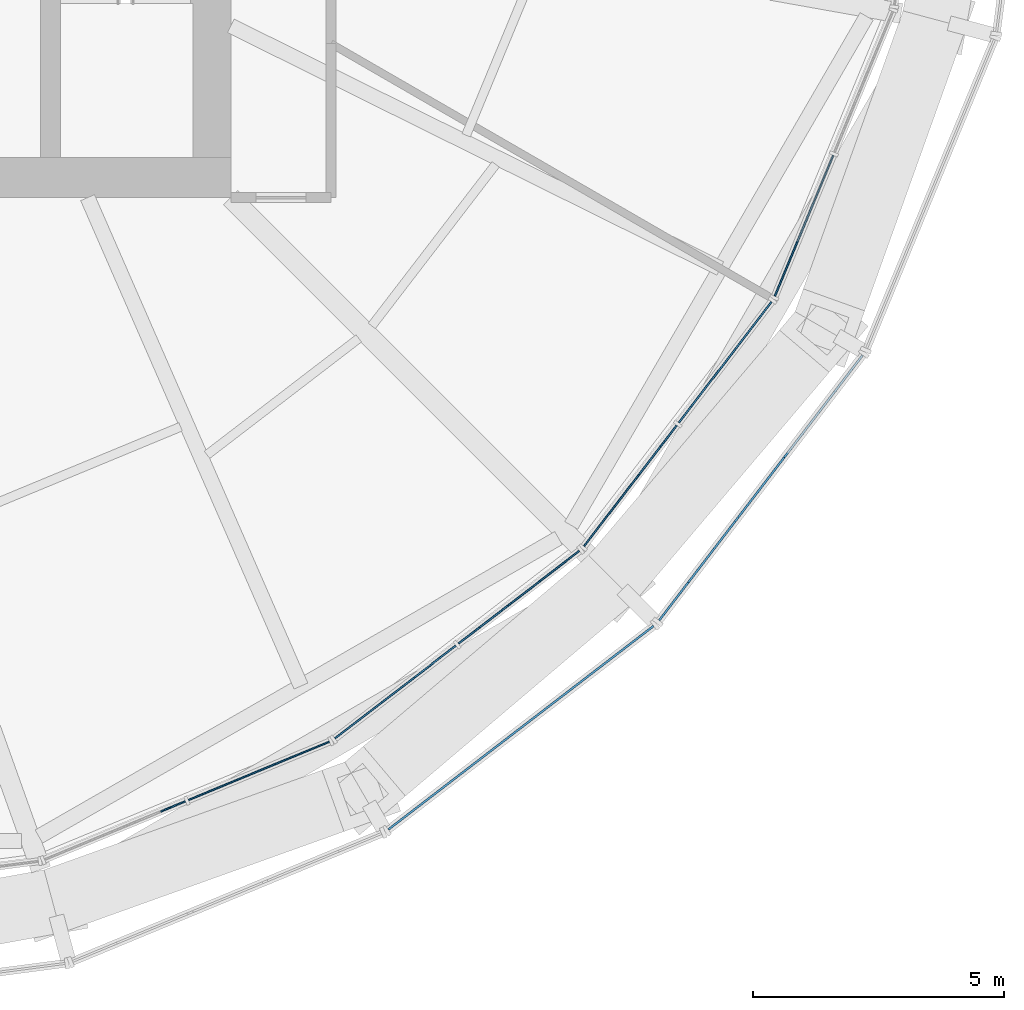
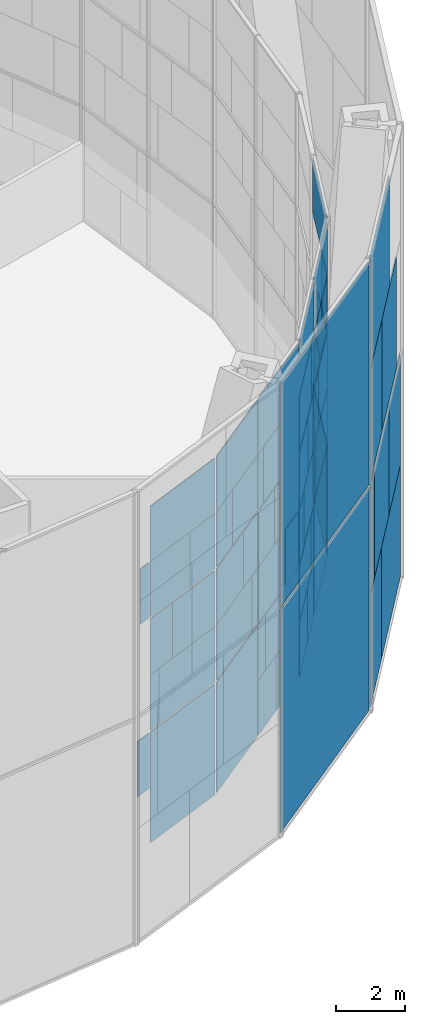
# One storey, part 16 of 26: 63 plates, 6 elements without a shape of their own.
"""IFC4 building model written with IfcOpenShell, lengths in metres."""

from ifc_helpers import new_model, si_unit, direction, frame, origin, origin_2d, place, context, subcontext, project, spatial, rectangle, extrude, material, layer, layer_set, type_object, element, aggregate, save


model = new_model("IFC4")

# Units and contexts
model_context = context("Model", 3, precision=1e-05, world=origin(), true_north=direction((0.0, 1.0)))
body_context = subcontext(model_context, "Body", "Model", "MODEL_VIEW")
ifc_project = project(units=[si_unit("LENGTHUNIT", "METRE"), si_unit("AREAUNIT", "SQUARE_METRE"), si_unit("VOLUMEUNIT", "CUBIC_METRE"), si_unit("PLANEANGLEUNIT", "RADIAN"), si_unit("MASSUNIT", "GRAM", prefix="KILO")], contexts=[model_context])

# Site, building, storey
site_placement = place(None, origin())
site = spatial("IfcSite", under=ifc_project, at=site_placement, CompositionType="ELEMENT")
building_placement = place(site_placement, origin())
building = spatial("IfcBuilding", under=site, at=building_placement, Name="Golbaran Civic Tower", CompositionType="ELEMENT")
storey_placement = place(building_placement, frame((0.0, 0.0, 69.0)))
storey = spatial("IfcBuildingStorey", under=building, at=storey_placement, Name="L16", CompositionType="ELEMENT", Elevation=69.0)

# Curtain wall, plates
ifc_material_1 = material(Name="Aluminium and glass", Category="aluminium")
curtain_wall_type_1 = type_object("IfcCurtainWallType", Name="INNER SKIN CURTAIN WALL", PredefinedType="NOTDEFINED", material=ifc_material_1)
curtain_wall_1_placement = place(storey_placement, origin())
curtain_wall_1 = element("IfcCurtainWall", 1, at=curtain_wall_1_placement, inside=storey, type_object=curtain_wall_type_1, Name="Inner skin L16 facet 20 CW1", ObjectType="INNER SKIN", PredefinedType="USERDEFINED")
ifc_material_2 = material(Name="Clear insulating glass", Category="glass")
ifc_layer_1 = layer(ifc_material_2, 0.031982421875, Name="Clear insulating glass")
ifc_layer_set_1 = layer_set([ifc_layer_1], Name="Clear insulating glass")
plate_type_1 = type_object("IfcPlateType", Name="INNER SKIN CURTAIN WALL GLAZED PANEL", PredefinedType="CURTAIN_PANEL", material=ifc_layer_set_1)
plate_1_placement = place(storey_placement, frame((8.8505859375, -22.14599609375, 2.016357421875), z_axis=(0.0, 0.0, 1.0), x_axis=(0.923879532478, 0.382683432446, 0.0)))
plate_1 = element("IfcPlate", 2, at=plate_1_placement, type_object=plate_type_1, Name="CW1 panel 1.1 part 4", PredefinedType="CURTAIN_PANEL", context=body_context, shape_type="SweptSolid", body=[
    extrude(rectangle(XDim=0.531005859375, YDim=0.031982421875, at=origin_2d()), origin(), (0.0, 0.0, 1.0), 1.951171875),
])
plate_2_placement = place(storey_placement, frame((10.561279296875, -21.4375, 0.06494140625), z_axis=(0.0, 0.0, 1.0), x_axis=(0.923879532478, 0.382683432446, 0.0)))
plate_2 = element("IfcPlate", 3, at=plate_2_placement, type_object=plate_type_1, Name="CW1 panel 2.1", PredefinedType="CURTAIN_PANEL", context=body_context, shape_type="SweptSolid", body=[
    extrude(rectangle(XDim=3.0419921875, YDim=0.031982421875, at=origin_2d()), origin(), (0.0, 0.0, 1.0), 3.902587890625),
])
plate_3_placement = place(storey_placement, frame((10.746337890625, -21.36083984375, 4.03271484375), z_axis=(0.0, 0.0, 1.0), x_axis=(0.923879532478, 0.382683432446, 0.0)))
plate_3 = element("IfcPlate", 4, at=plate_3_placement, type_object=plate_type_1, Name="CW1 panel 2.2 part 2", PredefinedType="CURTAIN_PANEL", context=body_context, shape_type="SweptSolid", body=[
    extrude(rectangle(XDim=2.64111328125, YDim=0.031982421875, at=origin_2d()), origin(), (0.0, 0.0, 1.0), 1.967529296875),
])
plate_4_placement = place(storey_placement, frame((11.041259765625, -21.23876953125, 6.0), z_axis=(0.0, 0.0, 1.0), x_axis=(0.923879532478, 0.382683432446, 0.0)))
plate_4 = element("IfcPlate", 5, at=plate_4_placement, type_object=plate_type_1, Name="CW1 panel 2.2 part 4", PredefinedType="CURTAIN_PANEL", context=body_context, shape_type="SweptSolid", body=[
    extrude(rectangle(XDim=2.0029296875, YDim=0.031982421875, at=origin_2d()), origin(), (0.0, 0.0, 1.0), 1.967529296875),
])
plate_5_placement = place(storey_placement, frame((11.421875, -21.0810546875, 8.032470703125), z_axis=(0.0, 0.0, 1.0), x_axis=(0.923879532478, 0.382683432446, 0.0)))
plate_5 = element("IfcPlate", 6, at=plate_5_placement, type_object=plate_type_1, Name="CW1 panel 2.3 part 2", PredefinedType="CURTAIN_PANEL", context=body_context, shape_type="SweptSolid", body=[
    extrude(rectangle(XDim=1.178955078125, YDim=0.031982421875, at=origin_2d()), origin(), (0.0, 0.0, 1.0), 1.951171875),
])

curtain_wall_2_placement = place(storey_placement, origin())
curtain_wall_2 = element("IfcCurtainWall", 7, at=curtain_wall_2_placement, inside=storey, type_object=curtain_wall_type_1, Name="Inner skin L16 facet 21 CW1", ObjectType="INNER SKIN", PredefinedType="USERDEFINED")
plate_6_placement = place(storey_placement, frame((13.28466796875, -19.864990234375, 0.06494140625), z_axis=(0.0, 0.0, 1.0), x_axis=(0.793353340323, 0.608761428967, 0.0)))
plate_6 = element("IfcPlate", 8, at=plate_6_placement, type_object=plate_type_1, Name="CW1 panel 1.1", PredefinedType="CURTAIN_PANEL", context=body_context, shape_type="SweptSolid", body=[
    extrude(rectangle(XDim=3.0419921875, YDim=0.031982421875, at=origin_2d()), origin(), (0.0, 0.0, 1.0), 3.902587890625),
])
plate_7_placement = place(storey_placement, frame((13.125732421875, -19.987060546875, 4.03271484375), z_axis=(0.0, 0.0, 1.0), x_axis=(0.793353340323, 0.608761428967, 0.0)))
plate_7 = element("IfcPlate", 9, at=plate_7_placement, type_object=plate_type_1, Name="CW1 panel 1.2 part 1", PredefinedType="CURTAIN_PANEL", context=body_context, shape_type="SweptSolid", body=[
    extrude(rectangle(XDim=2.64111328125, YDim=0.031982421875, at=origin_2d()), origin(), (0.0, 0.0, 1.0), 1.967529296875),
])
plate_8_placement = place(storey_placement, frame((12.87255859375, -20.18115234375, 6.0), z_axis=(0.0, 0.0, 1.0), x_axis=(0.793353340323, 0.608761428967, 0.0)))
plate_8 = element("IfcPlate", 10, at=plate_8_placement, type_object=plate_type_1, Name="CW1 panel 1.2 part 3", PredefinedType="CURTAIN_PANEL", context=body_context, shape_type="SweptSolid", body=[
    extrude(rectangle(XDim=2.0029296875, YDim=0.031982421875, at=origin_2d()), origin(), (0.0, 0.0, 1.0), 1.967529296875),
])
plate_9_placement = place(storey_placement, frame((12.545654296875, -20.43212890625, 8.032470703125), z_axis=(0.0, 0.0, 1.0), x_axis=(0.793353340323, 0.608761428967, 0.0)))
plate_9 = element("IfcPlate", 11, at=plate_9_placement, type_object=plate_type_1, Name="CW1 panel 1.3 part 1", PredefinedType="CURTAIN_PANEL", context=body_context, shape_type="SweptSolid", body=[
    extrude(rectangle(XDim=1.178955078125, YDim=0.031982421875, at=origin_2d()), origin(), (0.0, 0.0, 1.0), 1.951171875),
])
plate_10_placement = place(storey_placement, frame((15.0703125, -18.494873046875, 0.06494140625), z_axis=(0.0, 0.0, 1.0), x_axis=(0.793353340323, 0.608761428967, 0.0)))
plate_10 = element("IfcPlate", 12, at=plate_10_placement, type_object=plate_type_1, Name="CW1 panel 2.1 part 1", PredefinedType="CURTAIN_PANEL", context=body_context, shape_type="SweptSolid", body=[
    extrude(rectangle(XDim=1.3291015625, YDim=0.031982421875, at=origin_2d()), origin(), (0.0, 0.0, 1.0), 1.951171875),
])
plate_11_placement = place(storey_placement, frame((14.753662109375, -18.73779296875, 2.016357421875), z_axis=(0.0, 0.0, 1.0), x_axis=(0.793353340323, 0.608761428967, 0.0)))
plate_11 = element("IfcPlate", 13, at=plate_11_placement, type_object=plate_type_1, Name="CW1 panel 2.1 part 3", PredefinedType="CURTAIN_PANEL", context=body_context, shape_type="SweptSolid", body=[
    extrude(rectangle(XDim=0.531005859375, YDim=0.031982421875, at=origin_2d()), origin(), (0.0, 0.0, 1.0), 1.951171875),
])
plate_12_placement = place(storey_placement, frame((16.56298828125, -17.349609375, 4.03271484375), z_axis=(0.0, 0.0, 1.0), x_axis=(0.793353340323, 0.608761428967, 0.0)))
plate_12 = element("IfcPlate", 14, at=plate_12_placement, type_object=plate_type_1, Name="CW1 panel 2.2 part 2", PredefinedType="CURTAIN_PANEL", context=body_context, shape_type="SweptSolid", body=[
    extrude(rectangle(XDim=0.991943359375, YDim=0.031982421875, at=origin_2d()), origin(), (0.0, 0.0, 1.0), 1.967529296875),
])
plate_13_placement = place(storey_placement, frame((16.2431640625, -17.594970703125, 6.0), z_axis=(0.0, 0.0, 1.0), x_axis=(0.793353340323, 0.608761428967, 0.0)))
plate_13 = element("IfcPlate", 15, at=plate_13_placement, type_object=plate_type_1, Name="CW1 panel 2.2 part 4", PredefinedType="CURTAIN_PANEL", context=body_context, shape_type="SweptSolid", body=[
    extrude(rectangle(XDim=1.798095703125, YDim=0.031982421875, at=origin_2d()), origin(), (0.0, 0.0, 1.0), 1.967529296875),
])
plate_14_placement = place(storey_placement, frame((15.912841796875, -17.848388671875, 8.032470703125), z_axis=(0.0, 0.0, 1.0), x_axis=(0.793353340323, 0.608761428967, 0.0)))
plate_14 = element("IfcPlate", 16, at=plate_14_placement, type_object=plate_type_1, Name="CW1 panel 2.3 part 2", PredefinedType="CURTAIN_PANEL", context=body_context, shape_type="SweptSolid", body=[
    extrude(rectangle(XDim=2.631103515625, YDim=0.031982421875, at=origin_2d()), origin(), (0.0, 0.0, 1.0), 1.951171875),
])
plate_15_placement = place(storey_placement, frame((15.749755859375, -17.9736328125, 9.98388671875), z_axis=(0.0, 0.0, 1.0), x_axis=(0.793353340323, 0.608761428967, 0.0)))
plate_15 = element("IfcPlate", 17, at=plate_15_placement, type_object=plate_type_1, Name="CW1 panel 2.3 part 3", PredefinedType="CURTAIN_PANEL", context=body_context, shape_type="SweptSolid", body=[
    extrude(rectangle(XDim=3.0419921875, YDim=0.031982421875, at=origin_2d()), origin(), (0.0, 0.0, 1.0), 1.951171875),
])

curtain_wall_3_placement = place(storey_placement, origin())
curtain_wall_3 = element("IfcCurtainWall", 18, at=curtain_wall_3_placement, inside=storey, type_object=curtain_wall_type_1, Name="Inner skin L16 facet 22 CW1", ObjectType="INNER SKIN", PredefinedType="USERDEFINED")
plate_16_placement = place(storey_placement, frame((18.494873046875, -15.0703125, 0.06494140625), z_axis=(0.0, 0.0, 1.0), x_axis=(0.608761428967, 0.793353340323, 0.0)))
plate_16 = element("IfcPlate", 19, at=plate_16_placement, type_object=plate_type_1, Name="CW1 panel 1.1 part 2", PredefinedType="CURTAIN_PANEL", context=body_context, shape_type="SweptSolid", body=[
    extrude(rectangle(XDim=1.3291015625, YDim=0.031982421875, at=origin_2d()), origin(), (0.0, 0.0, 1.0), 1.951171875),
])
plate_17_placement = place(storey_placement, frame((18.73779296875, -14.753662109375, 2.016357421875), z_axis=(0.0, 0.0, 1.0), x_axis=(0.608761428967, 0.793353340323, 0.0)))
plate_17 = element("IfcPlate", 20, at=plate_17_placement, type_object=plate_type_1, Name="CW1 panel 1.1 part 4", PredefinedType="CURTAIN_PANEL", context=body_context, shape_type="SweptSolid", body=[
    extrude(rectangle(XDim=0.531005859375, YDim=0.031982421875, at=origin_2d()), origin(), (0.0, 0.0, 1.0), 1.951171875),
])
plate_18_placement = place(storey_placement, frame((17.349609375, -16.56298828125, 4.03271484375), z_axis=(0.0, 0.0, 1.0), x_axis=(0.608761428967, 0.793353340323, 0.0)))
plate_18 = element("IfcPlate", 21, at=plate_18_placement, type_object=plate_type_1, Name="CW1 panel 1.2 part 1", PredefinedType="CURTAIN_PANEL", context=body_context, shape_type="SweptSolid", body=[
    extrude(rectangle(XDim=0.991943359375, YDim=0.031982421875, at=origin_2d()), origin(), (0.0, 0.0, 1.0), 1.967529296875),
])
plate_19_placement = place(storey_placement, frame((17.59521484375, -16.242919921875, 6.0), z_axis=(0.0, 0.0, 1.0), x_axis=(0.608761428967, 0.793353340323, 0.0)))
plate_19 = element("IfcPlate", 22, at=plate_19_placement, type_object=plate_type_1, Name="CW1 panel 1.2 part 3", PredefinedType="CURTAIN_PANEL", context=body_context, shape_type="SweptSolid", body=[
    extrude(rectangle(XDim=1.799072265625, YDim=0.031982421875, at=origin_2d()), origin(), (0.0, 0.0, 1.0), 1.967529296875),
])
plate_20_placement = place(storey_placement, frame((17.848388671875, -15.912841796875, 8.032470703125), z_axis=(0.0, 0.0, 1.0), x_axis=(0.608761428967, 0.793353340323, 0.0)))
plate_20 = element("IfcPlate", 23, at=plate_20_placement, type_object=plate_type_1, Name="CW1 panel 1.3 part 1", PredefinedType="CURTAIN_PANEL", context=body_context, shape_type="SweptSolid", body=[
    extrude(rectangle(XDim=2.631103515625, YDim=0.031982421875, at=origin_2d()), origin(), (0.0, 0.0, 1.0), 1.951171875),
])
plate_21_placement = place(storey_placement, frame((17.9736328125, -15.749755859375, 9.98388671875), z_axis=(0.0, 0.0, 1.0), x_axis=(0.608761428967, 0.793353340323, 0.0)))
plate_21 = element("IfcPlate", 24, at=plate_21_placement, type_object=plate_type_1, Name="CW1 panel 1.3 part 3", PredefinedType="CURTAIN_PANEL", context=body_context, shape_type="SweptSolid", body=[
    extrude(rectangle(XDim=3.0419921875, YDim=0.031982421875, at=origin_2d()), origin(), (0.0, 0.0, 1.0), 1.951171875),
])
plate_22_placement = place(storey_placement, frame((19.864990234375, -13.28466796875, 0.06494140625), z_axis=(0.0, 0.0, 1.0), x_axis=(0.608761428967, 0.793353340323, 0.0)))
plate_22 = element("IfcPlate", 25, at=plate_22_placement, type_object=plate_type_1, Name="CW1 panel 2.1", PredefinedType="CURTAIN_PANEL", context=body_context, shape_type="SweptSolid", body=[
    extrude(rectangle(XDim=3.0419921875, YDim=0.031982421875, at=origin_2d()), origin(), (0.0, 0.0, 1.0), 3.902587890625),
])
plate_23_placement = place(storey_placement, frame((19.987060546875, -13.125732421875, 4.03271484375), z_axis=(0.0, 0.0, 1.0), x_axis=(0.608761428967, 0.793353340323, 0.0)))
plate_23 = element("IfcPlate", 26, at=plate_23_placement, type_object=plate_type_1, Name="CW1 panel 2.2 part 2", PredefinedType="CURTAIN_PANEL", context=body_context, shape_type="SweptSolid", body=[
    extrude(rectangle(XDim=2.64111328125, YDim=0.031982421875, at=origin_2d()), origin(), (0.0, 0.0, 1.0), 1.967529296875),
])
plate_24_placement = place(storey_placement, frame((20.18115234375, -12.87255859375, 6.0), z_axis=(0.0, 0.0, 1.0), x_axis=(0.608761428967, 0.793353340323, 0.0)))
plate_24 = element("IfcPlate", 27, at=plate_24_placement, type_object=plate_type_1, Name="CW1 panel 2.2 part 4", PredefinedType="CURTAIN_PANEL", context=body_context, shape_type="SweptSolid", body=[
    extrude(rectangle(XDim=2.0029296875, YDim=0.031982421875, at=origin_2d()), origin(), (0.0, 0.0, 1.0), 1.967529296875),
])
plate_25_placement = place(storey_placement, frame((20.43212890625, -12.545654296875, 8.032470703125), z_axis=(0.0, 0.0, 1.0), x_axis=(0.608761428967, 0.793353340323, 0.0)))
plate_25 = element("IfcPlate", 28, at=plate_25_placement, type_object=plate_type_1, Name="CW1 panel 2.3 part 2", PredefinedType="CURTAIN_PANEL", context=body_context, shape_type="SweptSolid", body=[
    extrude(rectangle(XDim=1.178955078125, YDim=0.031982421875, at=origin_2d()), origin(), (0.0, 0.0, 1.0), 1.951171875),
])

curtain_wall_4_placement = place(storey_placement, origin())
curtain_wall_4 = element("IfcCurtainWall", 29, at=curtain_wall_4_placement, inside=storey, type_object=curtain_wall_type_1, Name="Inner skin L16 facet 23 CW1", ObjectType="INNER SKIN", PredefinedType="USERDEFINED")
plate_26_placement = place(storey_placement, frame((21.4375, -10.561279296875, 0.06494140625), z_axis=(0.0, 0.0, 1.0), x_axis=(0.382683432446, 0.923879532478, 0.0)))
plate_26 = element("IfcPlate", 30, at=plate_26_placement, type_object=plate_type_1, Name="CW1 panel 1.1", PredefinedType="CURTAIN_PANEL", context=body_context, shape_type="SweptSolid", body=[
    extrude(rectangle(XDim=3.0419921875, YDim=0.031982421875, at=origin_2d()), origin(), (0.0, 0.0, 1.0), 3.902587890625),
])
plate_27_placement = place(storey_placement, frame((21.360595703125, -10.74658203125, 4.03271484375), z_axis=(0.0, 0.0, 1.0), x_axis=(0.382683432446, 0.923879532478, 0.0)))
plate_27 = element("IfcPlate", 31, at=plate_27_placement, type_object=plate_type_1, Name="CW1 panel 1.2 part 1", PredefinedType="CURTAIN_PANEL", context=body_context, shape_type="SweptSolid", body=[
    extrude(rectangle(XDim=2.64111328125, YDim=0.031982421875, at=origin_2d()), origin(), (0.0, 0.0, 1.0), 1.967529296875),
])
plate_28_placement = place(storey_placement, frame((21.238525390625, -11.041259765625, 6.0), z_axis=(0.0, 0.0, 1.0), x_axis=(0.382683432446, 0.923879532478, 0.0)))
plate_28 = element("IfcPlate", 32, at=plate_28_placement, type_object=plate_type_1, Name="CW1 panel 1.2 part 3", PredefinedType="CURTAIN_PANEL", context=body_context, shape_type="SweptSolid", body=[
    extrude(rectangle(XDim=2.0029296875, YDim=0.031982421875, at=origin_2d()), origin(), (0.0, 0.0, 1.0), 1.967529296875),
])
plate_29_placement = place(storey_placement, frame((21.0810546875, -11.421875, 8.032470703125), z_axis=(0.0, 0.0, 1.0), x_axis=(0.382683432446, 0.923879532478, 0.0)))
plate_29 = element("IfcPlate", 33, at=plate_29_placement, type_object=plate_type_1, Name="CW1 panel 1.3 part 1", PredefinedType="CURTAIN_PANEL", context=body_context, shape_type="SweptSolid", body=[
    extrude(rectangle(XDim=1.178955078125, YDim=0.031982421875, at=origin_2d()), origin(), (0.0, 0.0, 1.0), 1.951171875),
])

# Plate
ifc_material_3 = material(Name="Aluminium faced opaque infill panel", Category="aluminium")
ifc_layer_2 = layer(ifc_material_3, 0.031982421875, Name="Aluminium faced opaque infill panel")
ifc_layer_set_2 = layer_set([ifc_layer_2], Name="Aluminium faced opaque infill panel")
plate_type_2 = type_object("IfcPlateType", Name="INNER SKIN CURTAIN WALL OPAQUE INFILL PANEL", PredefinedType="CURTAIN_PANEL", material=ifc_layer_set_2)
plate_30_placement = place(storey_placement, frame((8.906005859375, -22.123046875, 8.032470703125), z_axis=(0.0, 0.0, 1.0), x_axis=(0.923879532478, 0.382683432446, 0.0)))
plate_30 = element("IfcPlate", 34, at=plate_30_placement, type_object=plate_type_2, Name="CW1 infill panel 1.3 part 2", PredefinedType="CURTAIN_PANEL", context=body_context, shape_type="SweptSolid", body=[
    extrude(rectangle(XDim=0.4111328125, YDim=0.031982421875, at=origin_2d()), origin(), (0.0, 0.0, 1.0), 1.951171875),
])

plate_31_placement = place(storey_placement, frame((9.34130859375, -21.94287109375, 4.03271484375), z_axis=(0.0, 0.0, 1.0), x_axis=(0.923879532478, 0.382683432446, 0.0)))
plate_31 = element("IfcPlate", 35, at=plate_31_placement, type_object=plate_type_2, Name="CW1 infill panel 2.2 part 1", PredefinedType="CURTAIN_PANEL", context=body_context, shape_type="SweptSolid", body=[
    extrude(rectangle(XDim=0.40087890625, YDim=0.031982421875, at=origin_2d()), origin(), (0.0, 0.0, 1.0), 1.967529296875),
])

plate_32_placement = place(storey_placement, frame((9.635986328125, -21.82080078125, 6.0), z_axis=(0.0, 0.0, 1.0), x_axis=(0.923879532478, 0.382683432446, 0.0)))
plate_32 = element("IfcPlate", 36, at=plate_32_placement, type_object=plate_type_2, Name="CW1 infill panel 2.2 part 3", PredefinedType="CURTAIN_PANEL", context=body_context, shape_type="SweptSolid", body=[
    extrude(rectangle(XDim=1.0390625, YDim=0.031982421875, at=origin_2d()), origin(), (0.0, 0.0, 1.0), 1.967529296875),
])

plate_33_placement = place(storey_placement, frame((10.0166015625, -21.6630859375, 8.032470703125), z_axis=(0.0, 0.0, 1.0), x_axis=(0.923879532478, 0.382683432446, 0.0)))
plate_33 = element("IfcPlate", 37, at=plate_33_placement, type_object=plate_type_2, Name="CW1 infill panel 2.3 part 1", PredefinedType="CURTAIN_PANEL", context=body_context, shape_type="SweptSolid", body=[
    extrude(rectangle(XDim=1.863037109375, YDim=0.031982421875, at=origin_2d()), origin(), (0.0, 0.0, 1.0), 1.951171875),
])

plate_34_placement = place(storey_placement, frame((10.561279296875, -21.4375, 9.98388671875), z_axis=(0.0, 0.0, 1.0), x_axis=(0.923879532478, 0.382683432446, 0.0)))
plate_34 = element("IfcPlate", 38, at=plate_34_placement, type_object=plate_type_2, Name="CW1 infill panel 2.3 part 3", PredefinedType="CURTAIN_PANEL", context=body_context, shape_type="SweptSolid", body=[
    extrude(rectangle(XDim=3.0419921875, YDim=0.031982421875, at=origin_2d()), origin(), (0.0, 0.0, 1.0), 1.951171875),
])

aggregate(curtain_wall_1, [plate_1, plate_30, plate_2, plate_31, plate_3, plate_32, plate_4, plate_33, plate_5, plate_34])

plate_35_placement = place(storey_placement, frame((14.33251953125, -19.06103515625, 4.03271484375), z_axis=(0.0, 0.0, 1.0), x_axis=(0.793353340323, 0.608761428967, 0.0)))
plate_35 = element("IfcPlate", 39, at=plate_35_placement, type_object=plate_type_2, Name="CW1 infill panel 1.2 part 2", PredefinedType="CURTAIN_PANEL", context=body_context, shape_type="SweptSolid", body=[
    extrude(rectangle(XDim=0.401123046875, YDim=0.031982421875, at=origin_2d()), origin(), (0.0, 0.0, 1.0), 1.967529296875),
])

plate_36_placement = place(storey_placement, frame((14.079345703125, -19.25537109375, 6.0), z_axis=(0.0, 0.0, 1.0), x_axis=(0.793353340323, 0.608761428967, 0.0)))
plate_36 = element("IfcPlate", 40, at=plate_36_placement, type_object=plate_type_2, Name="CW1 infill panel 1.2 part 4", PredefinedType="CURTAIN_PANEL", context=body_context, shape_type="SweptSolid", body=[
    extrude(rectangle(XDim=1.0390625, YDim=0.031982421875, at=origin_2d()), origin(), (0.0, 0.0, 1.0), 1.967529296875),
])

plate_37_placement = place(storey_placement, frame((13.75244140625, -19.506103515625, 8.032470703125), z_axis=(0.0, 0.0, 1.0), x_axis=(0.793353340323, 0.608761428967, 0.0)))
plate_37 = element("IfcPlate", 41, at=plate_37_placement, type_object=plate_type_2, Name="CW1 infill panel 1.3 part 2", PredefinedType="CURTAIN_PANEL", context=body_context, shape_type="SweptSolid", body=[
    extrude(rectangle(XDim=1.863037109375, YDim=0.031982421875, at=origin_2d()), origin(), (0.0, 0.0, 1.0), 1.951171875),
])

plate_38_placement = place(storey_placement, frame((13.28466796875, -19.864990234375, 9.98388671875), z_axis=(0.0, 0.0, 1.0), x_axis=(0.793353340323, 0.608761428967, 0.0)))
plate_38 = element("IfcPlate", 42, at=plate_38_placement, type_object=plate_type_2, Name="CW1 infill panel 1.3 part 3", PredefinedType="CURTAIN_PANEL", context=body_context, shape_type="SweptSolid", body=[
    extrude(rectangle(XDim=3.0419921875, YDim=0.031982421875, at=origin_2d()), origin(), (0.0, 0.0, 1.0), 1.951171875),
])

plate_39_placement = place(storey_placement, frame((16.27685546875, -17.569091796875, 0.06494140625), z_axis=(0.0, 0.0, 1.0), x_axis=(0.793353340323, 0.608761428967, 0.0)))
plate_39 = element("IfcPlate", 43, at=plate_39_placement, type_object=plate_type_2, Name="CW1 infill panel 2.1 part 2", PredefinedType="CURTAIN_PANEL", context=body_context, shape_type="SweptSolid", body=[
    extrude(rectangle(XDim=1.713134765625, YDim=0.031982421875, at=origin_2d()), origin(), (0.0, 0.0, 1.0), 1.951171875),
])

plate_40_placement = place(storey_placement, frame((15.96044921875, -17.81201171875, 2.016357421875), z_axis=(0.0, 0.0, 1.0), x_axis=(0.793353340323, 0.608761428967, 0.0)))
plate_40 = element("IfcPlate", 44, at=plate_40_placement, type_object=plate_type_2, Name="CW1 infill panel 2.1 part 4", PredefinedType="CURTAIN_PANEL", context=body_context, shape_type="SweptSolid", body=[
    extrude(rectangle(XDim=2.510986328125, YDim=0.031982421875, at=origin_2d()), origin(), (0.0, 0.0, 1.0), 1.951171875),
])

plate_41_placement = place(storey_placement, frame((15.356201171875, -18.275390625, 4.03271484375), z_axis=(0.0, 0.0, 1.0), x_axis=(0.793353340323, 0.608761428967, 0.0)))
plate_41 = element("IfcPlate", 45, at=plate_41_placement, type_object=plate_type_2, Name="CW1 infill panel 2.2 part 1", PredefinedType="CURTAIN_PANEL", context=body_context, shape_type="SweptSolid", body=[
    extrude(rectangle(XDim=2.050048828125, YDim=0.031982421875, at=origin_2d()), origin(), (0.0, 0.0, 1.0), 1.967529296875),
])

plate_42_placement = place(storey_placement, frame((15.03662109375, -18.520751953125, 6.0), z_axis=(0.0, 0.0, 1.0), x_axis=(0.793353340323, 0.608761428967, 0.0)))
plate_42 = element("IfcPlate", 46, at=plate_42_placement, type_object=plate_type_2, Name="CW1 infill panel 2.2 part 3", PredefinedType="CURTAIN_PANEL", context=body_context, shape_type="SweptSolid", body=[
    extrude(rectangle(XDim=1.243896484375, YDim=0.031982421875, at=origin_2d()), origin(), (0.0, 0.0, 1.0), 1.967529296875),
])

plate_43_placement = place(storey_placement, frame((14.7060546875, -18.7744140625, 8.032470703125), z_axis=(0.0, 0.0, 1.0), x_axis=(0.793353340323, 0.608761428967, 0.0)))
plate_43 = element("IfcPlate", 47, at=plate_43_placement, type_object=plate_type_2, Name="CW1 infill panel 2.3 part 1", PredefinedType="CURTAIN_PANEL", context=body_context, shape_type="SweptSolid", body=[
    extrude(rectangle(XDim=0.410888671875, YDim=0.031982421875, at=origin_2d()), origin(), (0.0, 0.0, 1.0), 1.951171875),
])

aggregate(curtain_wall_2, [plate_6, plate_7, plate_35, plate_8, plate_36, plate_9, plate_37, plate_38, plate_10, plate_39, plate_11, plate_40, plate_41, plate_12, plate_42, plate_13, plate_43, plate_14, plate_15])

plate_44_placement = place(storey_placement, frame((17.569091796875, -16.27685546875, 0.06494140625), z_axis=(0.0, 0.0, 1.0), x_axis=(0.608761428967, 0.793353340323, 0.0)))
plate_44 = element("IfcPlate", 48, at=plate_44_placement, type_object=plate_type_2, Name="CW1 infill panel 1.1 part 1", PredefinedType="CURTAIN_PANEL", context=body_context, shape_type="SweptSolid", body=[
    extrude(rectangle(XDim=1.712890625, YDim=0.031982421875, at=origin_2d()), origin(), (0.0, 0.0, 1.0), 1.951171875),
])

plate_45_placement = place(storey_placement, frame((17.81201171875, -15.96044921875, 2.016357421875), z_axis=(0.0, 0.0, 1.0), x_axis=(0.608761428967, 0.793353340323, 0.0)))
plate_45 = element("IfcPlate", 49, at=plate_45_placement, type_object=plate_type_2, Name="CW1 infill panel 1.1 part 3", PredefinedType="CURTAIN_PANEL", context=body_context, shape_type="SweptSolid", body=[
    extrude(rectangle(XDim=2.510986328125, YDim=0.031982421875, at=origin_2d()), origin(), (0.0, 0.0, 1.0), 1.951171875),
])

plate_46_placement = place(storey_placement, frame((18.275390625, -15.356201171875, 4.03271484375), z_axis=(0.0, 0.0, 1.0), x_axis=(0.608761428967, 0.793353340323, 0.0)))
plate_46 = element("IfcPlate", 50, at=plate_46_placement, type_object=plate_type_2, Name="CW1 infill panel 1.2 part 2", PredefinedType="CURTAIN_PANEL", context=body_context, shape_type="SweptSolid", body=[
    extrude(rectangle(XDim=2.050048828125, YDim=0.031982421875, at=origin_2d()), origin(), (0.0, 0.0, 1.0), 1.967529296875),
])

plate_47_placement = place(storey_placement, frame((18.521240234375, -15.0361328125, 6.0), z_axis=(0.0, 0.0, 1.0), x_axis=(0.608761428967, 0.793353340323, 0.0)))
plate_47 = element("IfcPlate", 51, at=plate_47_placement, type_object=plate_type_2, Name="CW1 infill panel 1.2 part 4", PredefinedType="CURTAIN_PANEL", context=body_context, shape_type="SweptSolid", body=[
    extrude(rectangle(XDim=1.2431640625, YDim=0.031982421875, at=origin_2d()), origin(), (0.0, 0.0, 1.0), 1.967529296875),
])

plate_48_placement = place(storey_placement, frame((18.7744140625, -14.7060546875, 8.032470703125), z_axis=(0.0, 0.0, 1.0), x_axis=(0.608761428967, 0.793353340323, 0.0)))
plate_48 = element("IfcPlate", 52, at=plate_48_placement, type_object=plate_type_2, Name="CW1 infill panel 1.3 part 2", PredefinedType="CURTAIN_PANEL", context=body_context, shape_type="SweptSolid", body=[
    extrude(rectangle(XDim=0.4111328125, YDim=0.031982421875, at=origin_2d()), origin(), (0.0, 0.0, 1.0), 1.951171875),
])

plate_49_placement = place(storey_placement, frame((19.06103515625, -14.33251953125, 4.03271484375), z_axis=(0.0, 0.0, 1.0), x_axis=(0.608761428967, 0.793353340323, 0.0)))
plate_49 = element("IfcPlate", 53, at=plate_49_placement, type_object=plate_type_2, Name="CW1 infill panel 2.2 part 1", PredefinedType="CURTAIN_PANEL", context=body_context, shape_type="SweptSolid", body=[
    extrude(rectangle(XDim=0.40087890625, YDim=0.031982421875, at=origin_2d()), origin(), (0.0, 0.0, 1.0), 1.967529296875),
])

plate_50_placement = place(storey_placement, frame((19.25537109375, -14.079345703125, 6.0), z_axis=(0.0, 0.0, 1.0), x_axis=(0.608761428967, 0.793353340323, 0.0)))
plate_50 = element("IfcPlate", 54, at=plate_50_placement, type_object=plate_type_2, Name="CW1 infill panel 2.2 part 3", PredefinedType="CURTAIN_PANEL", context=body_context, shape_type="SweptSolid", body=[
    extrude(rectangle(XDim=1.0390625, YDim=0.031982421875, at=origin_2d()), origin(), (0.0, 0.0, 1.0), 1.967529296875),
])

plate_51_placement = place(storey_placement, frame((19.506103515625, -13.75244140625, 8.032470703125), z_axis=(0.0, 0.0, 1.0), x_axis=(0.608761428967, 0.793353340323, 0.0)))
plate_51 = element("IfcPlate", 55, at=plate_51_placement, type_object=plate_type_2, Name="CW1 infill panel 2.3 part 1", PredefinedType="CURTAIN_PANEL", context=body_context, shape_type="SweptSolid", body=[
    extrude(rectangle(XDim=1.863037109375, YDim=0.031982421875, at=origin_2d()), origin(), (0.0, 0.0, 1.0), 1.951171875),
])

plate_52_placement = place(storey_placement, frame((19.864990234375, -13.28466796875, 9.98388671875), z_axis=(0.0, 0.0, 1.0), x_axis=(0.608761428967, 0.793353340323, 0.0)))
plate_52 = element("IfcPlate", 56, at=plate_52_placement, type_object=plate_type_2, Name="CW1 infill panel 2.3 part 3", PredefinedType="CURTAIN_PANEL", context=body_context, shape_type="SweptSolid", body=[
    extrude(rectangle(XDim=3.0419921875, YDim=0.031982421875, at=origin_2d()), origin(), (0.0, 0.0, 1.0), 1.951171875),
])

aggregate(curtain_wall_3, [plate_44, plate_16, plate_45, plate_17, plate_18, plate_46, plate_19, plate_47, plate_20, plate_48, plate_21, plate_22, plate_49, plate_23, plate_50, plate_24, plate_51, plate_25, plate_52])

plate_53_placement = place(storey_placement, frame((21.4375, -10.561279296875, 9.98388671875), z_axis=(0.0, 0.0, 1.0), x_axis=(0.382683432446, 0.923879532478, 0.0)))
plate_53 = element("IfcPlate", 57, at=plate_53_placement, type_object=plate_type_2, Name="CW1 infill panel 1.3 part 3", PredefinedType="CURTAIN_PANEL", context=body_context, shape_type="SweptSolid", body=[
    extrude(rectangle(XDim=3.0419921875, YDim=0.031982421875, at=origin_2d()), origin(), (0.0, 0.0, 1.0), 1.951171875),
])

aggregate(curtain_wall_4, [plate_26, plate_27, plate_28, plate_29, plate_53])

# Curtain wall, plates
curtain_wall_type_2 = type_object("IfcCurtainWallType", Name="OUTER SKIN TERRACOTTA SCREEN", PredefinedType="NOTDEFINED", material=ifc_material_1)
curtain_wall_5_placement = place(storey_placement, origin())
curtain_wall_5 = element("IfcCurtainWall", 58, at=curtain_wall_5_placement, inside=storey, type_object=curtain_wall_type_2, Name="Outer skin L16 facet 22 CW3", ObjectType="OUTER SKIN", PredefinedType="USERDEFINED")
ifc_material_4 = material(Name="Clear laminated glass", Category="glass")
ifc_layer_3 = layer(ifc_material_4, 0.0400390625, Name="Clear laminated glass")
ifc_layer_set_3 = layer_set([ifc_layer_3], Name="Clear laminated glass")
plate_type_3 = type_object("IfcPlateType", Name="OUTER SKIN CLEAR GLASS PANEL", PredefinedType="CURTAIN_PANEL", material=ifc_layer_set_3)
plate_54_placement = place(storey_placement, frame((21.334716796875, -14.802734375, -0.6298828125), z_axis=(0.0, 0.0, 1.0), x_axis=(0.608761428912, 0.793353340366, 0.0)))
plate_54 = element("IfcPlate", 59, at=plate_54_placement, type_object=plate_type_3, Name="CW3 panel 1.1 part 2", PredefinedType="CURTAIN_PANEL", context=body_context, shape_type="SweptSolid", body=[
    extrude(rectangle(XDim=4.181396484375, YDim=0.0400390625, at=origin_2d()), origin(), (0.0, 0.0, 1.0), 3.93994140625),
])
plate_55_placement = place(storey_placement, frame((18.837890625, -18.056396484375, 3.31005859375), z_axis=(0.0, 0.0, 1.0), x_axis=(0.608761428912, 0.793353340366, 0.0)))
plate_55 = element("IfcPlate", 60, at=plate_55_placement, type_object=plate_type_3, Name="CW3 panel 1.1 part 3", PredefinedType="CURTAIN_PANEL", context=body_context, shape_type="SweptSolid", body=[
    extrude(rectangle(XDim=0.955078125, YDim=0.0400390625, at=origin_2d()), origin(), (0.0, 0.0, 1.0), 3.93994140625),
])
plate_56_placement = place(storey_placement, frame((21.825927734375, -14.162353515625, 3.31005859375), z_axis=(0.0, 0.0, 1.0), x_axis=(0.608761428912, 0.793353340366, 0.0)))
plate_56 = element("IfcPlate", 61, at=plate_56_placement, type_object=plate_type_3, Name="CW3 panel 1.1 part 5", PredefinedType="CURTAIN_PANEL", context=body_context, shape_type="SweptSolid", body=[
    extrude(rectangle(XDim=2.5673828125, YDim=0.0400390625, at=origin_2d()), origin(), (0.0, 0.0, 1.0), 3.93994140625),
])
plate_57_placement = place(storey_placement, frame((19.338134765625, -17.404541015625, 7.330078125), z_axis=(0.0, 0.0, 1.0), x_axis=(0.608761428912, 0.793353340366, 0.0)))
plate_57 = element("IfcPlate", 62, at=plate_57_placement, type_object=plate_type_3, Name="CW3 panel 1.2 part 1", PredefinedType="CURTAIN_PANEL", context=body_context, shape_type="SweptSolid", body=[
    extrude(rectangle(XDim=2.597900390625, YDim=0.0400390625, at=origin_2d()), origin(), (0.0, 0.0, 1.0), 3.93994140625),
])
plate_58_placement = place(storey_placement, frame((19.828369140625, -16.765625, 11.27001953125), z_axis=(0.0, 0.0, 1.0), x_axis=(0.608761428912, 0.793353340366, 0.0)))
plate_58 = element("IfcPlate", 63, at=plate_58_placement, type_object=plate_type_3, Name="CW3 panel 1.2 part 4", PredefinedType="CURTAIN_PANEL", context=body_context, shape_type="SweptSolid", body=[
    extrude(rectangle(XDim=4.208984375, YDim=0.0400390625, at=origin_2d()), origin(), (0.0, 0.0, 1.0), 3.93994140625),
])
ifc_material_5 = material(Name="Terracotta baguette screen", Category="masonry")
ifc_layer_4 = layer(ifc_material_5, 0.0400390625, Name="Terracotta baguette screen")
ifc_layer_set_4 = layer_set([ifc_layer_4], Name="Terracotta baguette screen")
plate_type_4 = type_object("IfcPlateType", Name="OUTER SKIN TERRACOTTA INFILL PANEL", PredefinedType="CURTAIN_PANEL", material=ifc_layer_set_4)
plate_59_placement = place(storey_placement, frame((19.3046875, -17.4482421875, -0.6298828125), z_axis=(0.0, 0.0, 1.0), x_axis=(0.608761428912, 0.793353340366, 0.0)))
plate_59 = element("IfcPlate", 64, at=plate_59_placement, type_object=plate_type_4, Name="CW3 infill panel 1.1 part 1", PredefinedType="CURTAIN_PANEL", context=body_context, shape_type="SweptSolid", body=[
    extrude(rectangle(XDim=2.488037109375, YDim=0.0400390625, at=origin_2d()), origin(), (0.0, 0.0, 1.0), 3.93994140625),
])
plate_60_placement = place(storey_placement, frame((20.086669921875, -16.42919921875, 3.31005859375), z_axis=(0.0, 0.0, 1.0), x_axis=(0.608761428912, 0.793353340366, 0.0)))
plate_60 = element("IfcPlate", 65, at=plate_60_placement, type_object=plate_type_4, Name="CW3 infill panel 1.1 part 4", PredefinedType="CURTAIN_PANEL", context=body_context, shape_type="SweptSolid", body=[
    extrude(rectangle(XDim=3.14697265625, YDim=0.0400390625, at=origin_2d()), origin(), (0.0, 0.0, 1.0), 3.93994140625),
])
plate_61_placement = place(storey_placement, frame((21.087890625, -15.1240234375, 7.330078125), z_axis=(0.0, 0.0, 1.0), x_axis=(0.608761428912, 0.793353340366, 0.0)))
plate_61 = element("IfcPlate", 66, at=plate_61_placement, type_object=plate_type_4, Name="CW3 infill panel 1.2 part 2", PredefinedType="CURTAIN_PANEL", context=body_context, shape_type="SweptSolid", body=[
    extrude(rectangle(XDim=3.15087890625, YDim=0.0400390625, at=origin_2d()), origin(), (0.0, 0.0, 1.0), 3.93994140625),
])
aggregate(curtain_wall_5, [plate_59, plate_54, plate_55, plate_60, plate_56, plate_57, plate_61, plate_58])

curtain_wall_6_placement = place(storey_placement, origin())
curtain_wall_6 = element("IfcCurtainWall", 67, at=curtain_wall_6_placement, inside=storey, type_object=curtain_wall_type_2, Name="Outer skin L16 facet 21 CW3", ObjectType="OUTER SKIN", PredefinedType="USERDEFINED")
ifc_layer_5 = layer(ifc_material_5, 0.0400390625, Name="Terracotta baguette screen")
ifc_layer_set_5 = layer_set([ifc_layer_5], Name="Terracotta baguette screen")
plate_type_5 = type_object("IfcPlateType", Name="OUTER SKIN TERRACOTTA SCREEN PANEL", PredefinedType="CURTAIN_PANEL", material=ifc_layer_set_5)
plate_62_placement = place(storey_placement, frame((15.78955078125, -20.577392578125, -0.6298828125), z_axis=(0.0, 0.0, 1.0), x_axis=(0.793353340366, 0.608761428912, 0.0)))
plate_62 = element("IfcPlate", 68, at=plate_62_placement, type_object=plate_type_5, Name="CW3 terracotta screen panel 1.1", PredefinedType="CURTAIN_PANEL", context=body_context, shape_type="SweptSolid", body=[
    extrude(rectangle(XDim=6.66943359375, YDim=0.0400390625, at=origin_2d()), origin(), (0.0, 0.0, 1.0), 7.8798828125),
])
plate_63_placement = place(storey_placement, frame((15.78955078125, -20.577392578125, 7.330078125), z_axis=(0.0, 0.0, 1.0), x_axis=(0.793353340366, 0.608761428912, 0.0)))
plate_63 = element("IfcPlate", 69, at=plate_63_placement, type_object=plate_type_5, Name="CW3 terracotta screen panel 1.2", PredefinedType="CURTAIN_PANEL", context=body_context, shape_type="SweptSolid", body=[
    extrude(rectangle(XDim=6.66943359375, YDim=0.0400390625, at=origin_2d()), origin(), (0.0, 0.0, 1.0), 7.8798828125),
])
aggregate(curtain_wall_6, [plate_62, plate_63])

save(model, "model.ifc")
